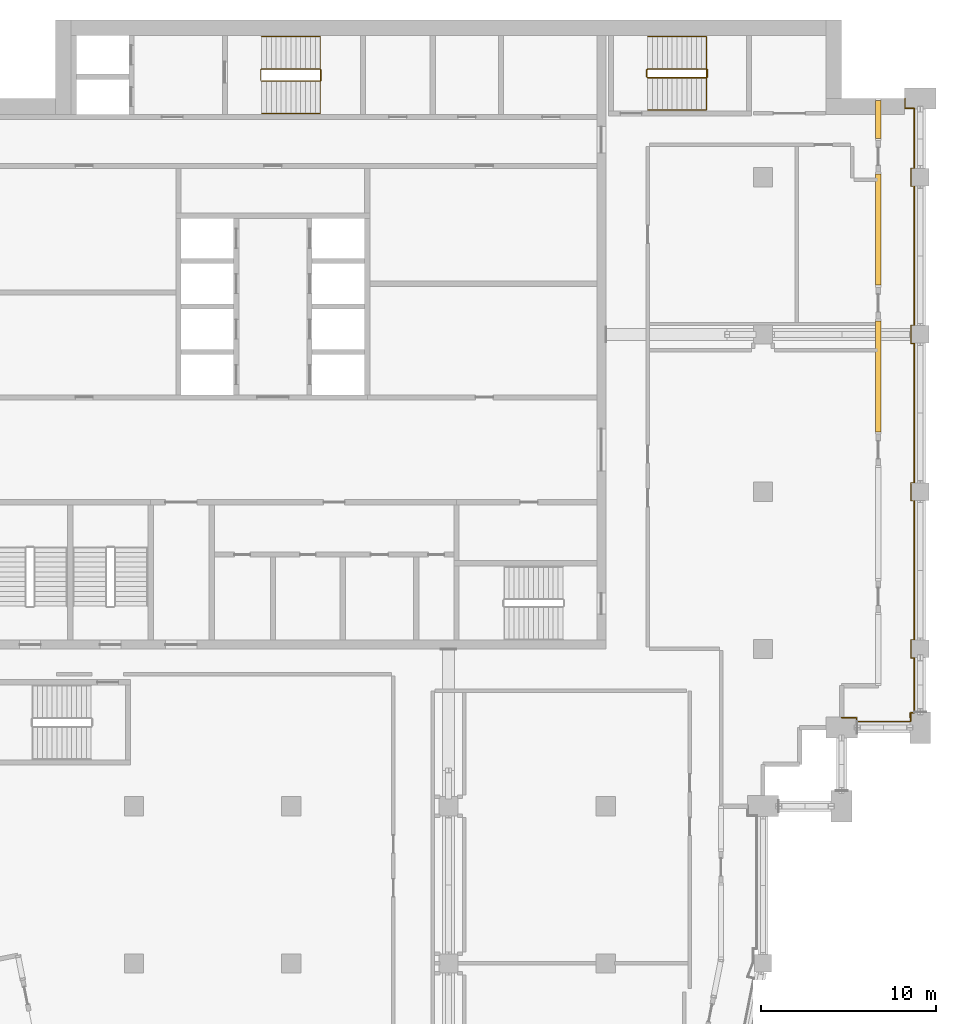
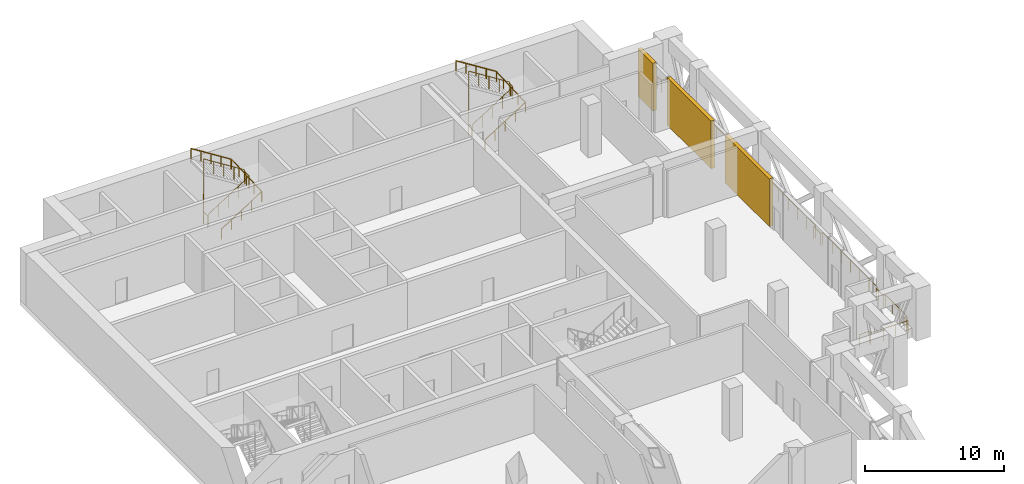
# One storey, part 16 of 16: 5 railings, 3 shading devices.
"""IFC4 building model written with IfcOpenShell, lengths in metres."""

from ifc_helpers import new_model, si_unit, direction, frame, origin, origin_2d, place, context, subcontext, project, spatial, rectangle, circle, extrude, material, layer, layer_set, type_object, element, save


model = new_model("IFC4")

# Units and contexts
model_context = context("Model", 3, precision=1e-05, world=origin(), true_north=direction((0.0, 1.0)))
body_context = subcontext(model_context, "Body", "Model", "MODEL_VIEW")
ifc_project = project(units=[si_unit("LENGTHUNIT", "METRE"), si_unit("AREAUNIT", "SQUARE_METRE"), si_unit("VOLUMEUNIT", "CUBIC_METRE"), si_unit("PLANEANGLEUNIT", "RADIAN"), si_unit("MASSUNIT", "GRAM", prefix="KILO")], contexts=[model_context])

# Site, building, storey
site_placement = place(None, origin())
site = spatial("IfcSite", under=ifc_project, at=site_placement, CompositionType="ELEMENT")
building_placement = place(site_placement, origin())
building = spatial("IfcBuilding", under=site, at=building_placement, Name="Hunhe Ridgeline Campus", CompositionType="ELEMENT")
storey_placement = place(building_placement, frame((0.0, 0.0, 227.199951171875)))
storey = spatial("IfcBuildingStorey", under=building, at=storey_placement, Name="L58", CompositionType="ELEMENT", Elevation=227.199951171875)

# Railing
ifc_material_1 = material(Name="Steel Q355", Category="steel")
railing_type_1 = type_object("IfcRailingType", Name="Loggia guard 1100 Steel Q355", PredefinedType="GUARDRAIL", material=ifc_material_1)
railing_1_placement = place(storey_placement, frame((49.5, 59.070068359375, 0.0)))
element("IfcRailing", 1, at=railing_1_placement, inside=storey, type_object=railing_type_1, Name="Loggia guard 3", PredefinedType="GUARDRAIL", context=body_context, shape_type="SweptSolid", body=[
    extrude(circle(Radius=0.02392578125, at=origin_2d()), frame((0.0, 0.0, 1.076171875), z_axis=(1.0, 0.0, 0.0), x_axis=(0.0, 1.0, 0.0)), (0.0, 0.0, 1.0), 0.85009765625),
    extrude(circle(Radius=0.02392578125, at=origin_2d()), frame((0.85009765625, 0.0, 1.076171875), z_axis=(0.0, -1.0, 0.0), x_axis=(1.0, 0.0, 0.0)), (0.0, 0.0, 1.0), 0.219970703125),
    extrude(circle(Radius=0.02392578125, at=origin_2d()), frame((0.85009765625, -0.219970703125, 1.076171875), z_axis=(1.0, 0.0, 0.0), x_axis=(0.0, 1.0, 0.0)), (0.0, 0.0, 1.0), 3.099853515625),
    extrude(circle(Radius=0.02392578125, at=origin_2d()), frame((3.949951171875, -0.219970703125, 1.076171875), z_axis=(0.0, 1.0, 0.0), x_axis=(-1.0, 0.0, 0.0)), (0.0, 0.0, 1.0), 0.52001953125),
    extrude(circle(Radius=0.02392578125, at=origin_2d()), frame((3.949951171875, 0.300048828125, 1.076171875), z_axis=(-0.066572895244, -0.99778156408, 0.0), x_axis=(0.99778156408, -0.066572895244, 0.0)), (0.0, 0.0, 1.0), 0.30078125),
    extrude(circle(Radius=0.02392578125, at=origin_2d()), frame((3.929931640625, 0.0, 1.076171875), z_axis=(0.0, 1.0, 0.0), x_axis=(-1.0, 0.0, 0.0)), (0.0, 0.0, 1.0), 0.280029296875),
    extrude(circle(Radius=0.02392578125, at=origin_2d()), frame((3.929931640625, 0.280029296875, 1.076171875), z_axis=(1.0, 0.0, 0.0), x_axis=(0.0, 1.0, 0.0)), (0.0, 0.0, 1.0), 0.219970703125),
    extrude(circle(Radius=0.02392578125, at=origin_2d()), frame((4.14990234375, 0.280029296875, 1.076171875), z_axis=(0.0, 1.0, 0.0), x_axis=(-1.0, 0.0, 0.0)), (0.0, 0.0, 1.0), 3.14990234375),
    extrude(circle(Radius=0.02392578125, at=origin_2d()), frame((4.14990234375, 3.429931640625, 1.076171875), z_axis=(-1.0, 0.0, 0.0), x_axis=(0.0, -1.0, 0.0)), (0.0, 0.0, 1.0), 0.169921875),
    extrude(circle(Radius=0.02392578125, at=origin_2d()), frame((3.97998046875, 3.429931640625, 1.076171875), z_axis=(0.0, 1.0, 0.0), x_axis=(-1.0, 0.0, 0.0)), (0.0, 0.0, 1.0), 1.0),
    extrude(circle(Radius=0.02392578125, at=origin_2d()), frame((3.97998046875, 4.429931640625, 1.076171875), z_axis=(1.0, 0.0, 0.0), x_axis=(0.0, 1.0, 0.0)), (0.0, 0.0, 1.0), 0.169921875),
    extrude(circle(Radius=0.02392578125, at=origin_2d()), frame((4.14990234375, 4.429931640625, 1.076171875), z_axis=(0.0, 1.0, 0.0), x_axis=(-1.0, 0.0, 0.0)), (0.0, 0.0, 1.0), 8.0),
    extrude(circle(Radius=0.02392578125, at=origin_2d()), frame((4.14990234375, 12.429931640625, 1.076171875), z_axis=(-1.0, 0.0, 0.0), x_axis=(0.0, -1.0, 0.0)), (0.0, 0.0, 1.0), 0.169921875),
    extrude(circle(Radius=0.02392578125, at=origin_2d()), frame((3.97998046875, 12.429931640625, 1.076171875), z_axis=(0.0, 1.0, 0.0), x_axis=(-1.0, 0.0, 0.0)), (0.0, 0.0, 1.0), 1.0),
    extrude(circle(Radius=0.02392578125, at=origin_2d()), frame((3.97998046875, 13.429931640625, 1.076171875), z_axis=(1.0, 0.0, 0.0), x_axis=(0.0, 1.0, 0.0)), (0.0, 0.0, 1.0), 0.169921875),
    extrude(circle(Radius=0.02392578125, at=origin_2d()), frame((4.14990234375, 13.429931640625, 1.076171875), z_axis=(0.0, 1.0, 0.0), x_axis=(-1.0, 0.0, 0.0)), (0.0, 0.0, 1.0), 8.0),
    extrude(circle(Radius=0.02392578125, at=origin_2d()), frame((4.14990234375, 21.429931640625, 1.076171875), z_axis=(-1.0, 0.0, 0.0), x_axis=(0.0, -1.0, 0.0)), (0.0, 0.0, 1.0), 0.169921875),
    extrude(circle(Radius=0.02392578125, at=origin_2d()), frame((3.97998046875, 21.429931640625, 1.076171875), z_axis=(0.0, 1.0, 0.0), x_axis=(-1.0, 0.0, 0.0)), (0.0, 0.0, 1.0), 1.0),
    extrude(circle(Radius=0.02392578125, at=origin_2d()), frame((3.97998046875, 22.429931640625, 1.076171875), z_axis=(1.0, 0.0, 0.0), x_axis=(0.0, 1.0, 0.0)), (0.0, 0.0, 1.0), 0.169921875),
    extrude(circle(Radius=0.02392578125, at=origin_2d()), frame((4.14990234375, 22.429931640625, 1.076171875), z_axis=(0.0, 1.0, 0.0), x_axis=(-1.0, 0.0, 0.0)), (0.0, 0.0, 1.0), 8.0),
    extrude(circle(Radius=0.02392578125, at=origin_2d()), frame((4.14990234375, 30.429931640625, 1.076171875), z_axis=(-1.0, 0.0, 0.0), x_axis=(0.0, -1.0, 0.0)), (0.0, 0.0, 1.0), 0.169921875),
    extrude(circle(Radius=0.02392578125, at=origin_2d()), frame((3.97998046875, 30.429931640625, 1.076171875), z_axis=(0.0, 1.0, 0.0), x_axis=(-1.0, 0.0, 0.0)), (0.0, 0.0, 1.0), 1.0),
    extrude(circle(Radius=0.02392578125, at=origin_2d()), frame((3.97998046875, 31.429931640625, 1.076171875), z_axis=(1.0, 0.0, 0.0), x_axis=(0.0, 1.0, 0.0)), (0.0, 0.0, 1.0), 0.169921875),
    extrude(circle(Radius=0.02392578125, at=origin_2d()), frame((4.14990234375, 31.429931640625, 1.076171875), z_axis=(0.0, 1.0, 0.0), x_axis=(-1.0, 0.0, 0.0)), (0.0, 0.0, 1.0), 3.449951171875),
    extrude(circle(Radius=0.02392578125, at=origin_2d()), frame((4.14990234375, 34.8798828125, 1.076171875), z_axis=(-1.0, 0.0, 0.0), x_axis=(0.0, -1.0, 0.0)), (0.0, 0.0, 1.0), 0.52001953125),
    extrude(circle(Radius=0.02392578125, at=origin_2d()), frame((3.6298828125, 34.8798828125, 1.076171875), z_axis=(0.0, 1.0, 0.0), x_axis=(-1.0, 0.0, 0.0)), (0.0, 0.0, 1.0), 0.550048828125),
    extrude(circle(Radius=0.02099609375, at=origin_2d()), origin(), (0.0, 0.0, 1.0), 1.052001953125),
    extrude(circle(Radius=0.02099609375, at=origin_2d()), frame((0.85009765625, 0.0, 0.0)), (0.0, 0.0, 1.0), 1.052001953125),
    extrude(circle(Radius=0.02099609375, at=origin_2d()), frame((0.85009765625, -0.219970703125, 0.0)), (0.0, 0.0, 1.0), 1.052001953125),
    extrude(circle(Radius=0.02099609375, at=origin_2d()), frame((1.88330078125, -0.219970703125, 0.0)), (0.0, 0.0, 1.0), 1.052001953125),
    extrude(circle(Radius=0.02099609375, at=origin_2d()), frame((2.916748046875, -0.219970703125, 0.0)), (0.0, 0.0, 1.0), 1.052001953125),
    extrude(circle(Radius=0.02099609375, at=origin_2d()), frame((3.949951171875, -0.219970703125, 0.0)), (0.0, 0.0, 1.0), 1.052001953125),
    extrude(circle(Radius=0.02099609375, at=origin_2d()), frame((3.949951171875, 0.300048828125, 0.0)), (0.0, 0.0, 1.0), 1.052001953125),
    extrude(circle(Radius=0.02099609375, at=origin_2d()), frame((3.929931640625, 0.0, 0.0)), (0.0, 0.0, 1.0), 1.052001953125),
    extrude(circle(Radius=0.02099609375, at=origin_2d()), frame((3.929931640625, 0.280029296875, 0.0)), (0.0, 0.0, 1.0), 1.052001953125),
    extrude(circle(Radius=0.02099609375, at=origin_2d()), frame((4.14990234375, 0.280029296875, 0.0)), (0.0, 0.0, 1.0), 1.052001953125),
    extrude(circle(Radius=0.02099609375, at=origin_2d()), frame((4.14990234375, 1.330078125, 0.0)), (0.0, 0.0, 1.0), 1.052001953125),
    extrude(circle(Radius=0.02099609375, at=origin_2d()), frame((4.14990234375, 2.3798828125, 0.0)), (0.0, 0.0, 1.0), 1.052001953125),
    extrude(circle(Radius=0.02099609375, at=origin_2d()), frame((4.14990234375, 3.429931640625, 0.0)), (0.0, 0.0, 1.0), 1.052001953125),
    extrude(circle(Radius=0.02099609375, at=origin_2d()), frame((3.97998046875, 3.429931640625, 0.0)), (0.0, 0.0, 1.0), 1.052001953125),
    extrude(circle(Radius=0.02099609375, at=origin_2d()), frame((3.97998046875, 4.429931640625, 0.0)), (0.0, 0.0, 1.0), 1.052001953125),
    extrude(circle(Radius=0.02099609375, at=origin_2d()), frame((4.14990234375, 4.429931640625, 0.0)), (0.0, 0.0, 1.0), 1.052001953125),
    extrude(circle(Radius=0.02099609375, at=origin_2d()), frame((4.14990234375, 5.76318359375, 0.0)), (0.0, 0.0, 1.0), 1.052001953125),
    extrude(circle(Radius=0.02099609375, at=origin_2d()), frame((4.14990234375, 7.0966796875, 0.0)), (0.0, 0.0, 1.0), 1.052001953125),
    extrude(circle(Radius=0.02099609375, at=origin_2d()), frame((4.14990234375, 8.429931640625, 0.0)), (0.0, 0.0, 1.0), 1.052001953125),
    extrude(circle(Radius=0.02099609375, at=origin_2d()), frame((4.14990234375, 9.76318359375, 0.0)), (0.0, 0.0, 1.0), 1.052001953125),
    extrude(circle(Radius=0.02099609375, at=origin_2d()), frame((4.14990234375, 11.0966796875, 0.0)), (0.0, 0.0, 1.0), 1.052001953125),
    extrude(circle(Radius=0.02099609375, at=origin_2d()), frame((4.14990234375, 12.429931640625, 0.0)), (0.0, 0.0, 1.0), 1.052001953125),
    extrude(circle(Radius=0.02099609375, at=origin_2d()), frame((3.97998046875, 12.429931640625, 0.0)), (0.0, 0.0, 1.0), 1.052001953125),
    extrude(circle(Radius=0.02099609375, at=origin_2d()), frame((3.97998046875, 13.429931640625, 0.0)), (0.0, 0.0, 1.0), 1.052001953125),
    extrude(circle(Radius=0.02099609375, at=origin_2d()), frame((4.14990234375, 13.429931640625, 0.0)), (0.0, 0.0, 1.0), 1.052001953125),
    extrude(circle(Radius=0.02099609375, at=origin_2d()), frame((4.14990234375, 14.76318359375, 0.0)), (0.0, 0.0, 1.0), 1.052001953125),
    extrude(circle(Radius=0.02099609375, at=origin_2d()), frame((4.14990234375, 16.0966796875, 0.0)), (0.0, 0.0, 1.0), 1.052001953125),
    extrude(circle(Radius=0.02099609375, at=origin_2d()), frame((4.14990234375, 17.429931640625, 0.0)), (0.0, 0.0, 1.0), 1.052001953125),
    extrude(circle(Radius=0.02099609375, at=origin_2d()), frame((4.14990234375, 18.76318359375, 0.0)), (0.0, 0.0, 1.0), 1.052001953125),
    extrude(circle(Radius=0.02099609375, at=origin_2d()), frame((4.14990234375, 20.0966796875, 0.0)), (0.0, 0.0, 1.0), 1.052001953125),
    extrude(circle(Radius=0.02099609375, at=origin_2d()), frame((4.14990234375, 21.429931640625, 0.0)), (0.0, 0.0, 1.0), 1.052001953125),
    extrude(circle(Radius=0.02099609375, at=origin_2d()), frame((3.97998046875, 21.429931640625, 0.0)), (0.0, 0.0, 1.0), 1.052001953125),
    extrude(circle(Radius=0.02099609375, at=origin_2d()), frame((3.97998046875, 22.429931640625, 0.0)), (0.0, 0.0, 1.0), 1.052001953125),
    extrude(circle(Radius=0.02099609375, at=origin_2d()), frame((4.14990234375, 22.429931640625, 0.0)), (0.0, 0.0, 1.0), 1.052001953125),
    extrude(circle(Radius=0.02099609375, at=origin_2d()), frame((4.14990234375, 23.76318359375, 0.0)), (0.0, 0.0, 1.0), 1.052001953125),
    extrude(circle(Radius=0.02099609375, at=origin_2d()), frame((4.14990234375, 25.0966796875, 0.0)), (0.0, 0.0, 1.0), 1.052001953125),
    extrude(circle(Radius=0.02099609375, at=origin_2d()), frame((4.14990234375, 26.429931640625, 0.0)), (0.0, 0.0, 1.0), 1.052001953125),
    extrude(circle(Radius=0.02099609375, at=origin_2d()), frame((4.14990234375, 27.76318359375, 0.0)), (0.0, 0.0, 1.0), 1.052001953125),
    extrude(circle(Radius=0.02099609375, at=origin_2d()), frame((4.14990234375, 29.0966796875, 0.0)), (0.0, 0.0, 1.0), 1.052001953125),
    extrude(circle(Radius=0.02099609375, at=origin_2d()), frame((4.14990234375, 30.429931640625, 0.0)), (0.0, 0.0, 1.0), 1.052001953125),
    extrude(circle(Radius=0.02099609375, at=origin_2d()), frame((3.97998046875, 30.429931640625, 0.0)), (0.0, 0.0, 1.0), 1.052001953125),
    extrude(circle(Radius=0.02099609375, at=origin_2d()), frame((3.97998046875, 31.429931640625, 0.0)), (0.0, 0.0, 1.0), 1.052001953125),
    extrude(circle(Radius=0.02099609375, at=origin_2d()), frame((4.14990234375, 31.429931640625, 0.0)), (0.0, 0.0, 1.0), 1.052001953125),
    extrude(circle(Radius=0.02099609375, at=origin_2d()), frame((4.14990234375, 32.579833984375, 0.0)), (0.0, 0.0, 1.0), 1.052001953125),
    extrude(circle(Radius=0.02099609375, at=origin_2d()), frame((4.14990234375, 33.72998046875, 0.0)), (0.0, 0.0, 1.0), 1.052001953125),
    extrude(circle(Radius=0.02099609375, at=origin_2d()), frame((4.14990234375, 34.8798828125, 0.0)), (0.0, 0.0, 1.0), 1.052001953125),
    extrude(circle(Radius=0.02099609375, at=origin_2d()), frame((3.6298828125, 34.8798828125, 0.0)), (0.0, 0.0, 1.0), 1.052001953125),
    extrude(circle(Radius=0.02099609375, at=origin_2d()), frame((3.6298828125, 35.429931640625, 0.0)), (0.0, 0.0, 1.0), 1.052001953125),
])

# Shading devices
ifc_material_2 = material(Name="Aluminium 6063", Category="aluminium")
ifc_layer = layer(ifc_material_2, 0.300048828125)
ifc_layer_set = layer_set([ifc_layer], Name="Louvre bank 300 Aluminium 6063")
shading_device_type = type_object("IfcShadingDeviceType", Name="Louvre bank 300 Aluminium 6063", PredefinedType="USERDEFINED", material=ifc_layer_set)
for number, where, z_axis, x_axis, name in (
    (2, (51.59912109375, 78.6005859375, 0.0), (0.0, 0.0, 1.0), (0.0, 1.0, 0.0), "Louvre bank 20"),
    (3, (51.59912109375, 87.000244140625, 0.0), (0.0, 0.0, 1.0), (0.0, 1.0, 0.0), "Louvre bank 21"),
):
    element("IfcShadingDevice", number, at=place(storey_placement, frame(where, z_axis=z_axis, x_axis=x_axis)), inside=storey, type_object=shading_device_type, Name=name, ObjectType="LOUVRE", PredefinedType="USERDEFINED", context=body_context, shape_type="SweptSolid", body=[
        extrude(rectangle(XDim=6.35986328125, YDim=0.300048828125, at=origin_2d()), origin(), (0.0, 0.0, 1.0), 4.199951171875),
    ])
shading_device_placement = place(storey_placement, frame((51.59912109375, 93.300048828125, 0.0), z_axis=(0.0, 0.0, 1.0), x_axis=(0.0, 1.0, 0.0)))
element("IfcShadingDevice", 4, at=shading_device_placement, inside=storey, type_object=shading_device_type, Name="Louvre bank 22", ObjectType="LOUVRE", PredefinedType="USERDEFINED", context=body_context, shape_type="SweptSolid", body=[
    extrude(rectangle(XDim=2.159912109375, YDim=0.300048828125, at=origin_2d()), origin(), (0.0, 0.0, 1.0), 4.199951171875),
])

# Railings
ifc_material_3 = material(Name="Stainless steel balustrade", Category="steel")
railing_type_2 = type_object("IfcRailingType", Name="Stair guard 1100 stainless", PredefinedType="GUARDRAIL", material=ifc_material_3)
railing_2_placement = place(storey_placement, frame((16.300048828125, 95.5, 0.177001953125)))
element("IfcRailing", 5, at=railing_2_placement, inside=storey, type_object=railing_type_2, Name="L58 stair S1 guard", PredefinedType="GUARDRAIL", context=body_context, shape_type="SweptSolid", body=[
    extrude(circle(Radius=0.02392578125, at=origin_2d()), frame((0.0, 0.0, 1.076171875), z_axis=(0.845372108799, 0.0, 0.534177870812), x_axis=(0.0, 1.0, 0.0)), (0.0, 0.0, 1.0), 3.974365234375),
    extrude(circle(Radius=0.02392578125, at=origin_2d()), frame((3.35986328125, 0.0, 3.19921875), z_axis=(0.707106781187, 0.707106781187, 0.0), x_axis=(-0.707106781187, 0.707106781187, 0.0)), (0.0, 0.0, 1.0), 0.07080078125),
    extrude(circle(Radius=0.02392578125, at=origin_2d()), frame((3.409912109375, 0.050048828125, 3.19921875), z_axis=(0.0, 1.0, 0.0), x_axis=(-1.0, 0.0, 0.0)), (0.0, 0.0, 1.0), 0.599853515625),
    extrude(circle(Radius=0.02392578125, at=origin_2d()), frame((3.409912109375, 0.64990234375, 3.19921875), z_axis=(-0.262545553595, 0.262545553595, 0.928514762713), x_axis=(-0.707106781187, -0.707106781187, 0.0)), (0.0, 0.0, 1.0), 0.190673828125),
    extrude(circle(Radius=0.02392578125, at=origin_2d()), frame((3.35986328125, 0.699951171875, 3.3759765625), z_axis=(-0.845372108799, 0.0, 0.534177870812), x_axis=(0.0, -1.0, 0.0)), (0.0, 0.0, 1.0), 3.974365234375),
    extrude(circle(Radius=0.02392578125, at=origin_2d()), frame((0.0, 0.699951171875, 5.4990234375), z_axis=(-0.010878661383, -0.010878661383, -0.999881647723), x_axis=(0.707106781187, -0.707106781187, 0.0)), (0.0, 0.0, 1.0), 4.6005859375),
    extrude(circle(Radius=0.02392578125, at=origin_2d()), frame((-0.050048828125, 0.64990234375, 0.89892578125), z_axis=(0.0, -1.0, 0.0), x_axis=(1.0, 0.0, 0.0)), (0.0, 0.0, 1.0), 0.599853515625),
    extrude(circle(Radius=0.02099609375, at=origin_2d()), origin(), (0.0, 0.0, 1.0), 1.052001953125),
    extrude(circle(Radius=0.02099609375, at=origin_2d()), frame((0.83984375, 0.0, 0.53076171875)), (0.0, 0.0, 1.0), 1.052001953125),
    extrude(circle(Radius=0.02099609375, at=origin_2d()), frame((1.679931640625, 0.0, 1.0615234375)), (0.0, 0.0, 1.0), 1.052001953125),
    extrude(circle(Radius=0.02099609375, at=origin_2d()), frame((2.52001953125, 0.0, 1.59228515625)), (0.0, 0.0, 1.0), 1.052001953125),
    extrude(circle(Radius=0.02099609375, at=origin_2d()), frame((3.35986328125, 0.0, 2.123046875)), (0.0, 0.0, 1.0), 1.052001953125),
    extrude(circle(Radius=0.02099609375, at=origin_2d()), frame((3.409912109375, 0.050048828125, 2.123046875)), (0.0, 0.0, 1.0), 1.052001953125),
    extrude(circle(Radius=0.02099609375, at=origin_2d()), frame((3.409912109375, 0.64990234375, 2.123046875)), (0.0, 0.0, 1.0), 1.052001953125),
    extrude(circle(Radius=0.02099609375, at=origin_2d()), frame((3.35986328125, 0.699951171875, 2.300048828125)), (0.0, 0.0, 1.0), 1.052001953125),
    extrude(circle(Radius=0.02099609375, at=origin_2d()), frame((2.52001953125, 0.699951171875, 2.830810546875)), (0.0, 0.0, 1.0), 1.052001953125),
    extrude(circle(Radius=0.02099609375, at=origin_2d()), frame((1.679931640625, 0.699951171875, 3.361572265625)), (0.0, 0.0, 1.0), 1.052001953125),
    extrude(circle(Radius=0.02099609375, at=origin_2d()), frame((0.83984375, 0.699951171875, 3.892333984375)), (0.0, 0.0, 1.0), 1.052001953125),
    extrude(circle(Radius=0.02099609375, at=origin_2d()), frame((0.0, 0.699951171875, 4.423095703125)), (0.0, 0.0, 1.0), 1.052001953125),
    extrude(circle(Radius=0.02099609375, at=origin_2d()), frame((-0.012451171875, 0.6875, 3.27294921875)), (0.0, 0.0, 1.0), 1.052001953125),
    extrude(circle(Radius=0.02099609375, at=origin_2d()), frame((-0.02490234375, 0.6748046875, 2.123046875)), (0.0, 0.0, 1.0), 1.052001953125),
    extrude(circle(Radius=0.02099609375, at=origin_2d()), frame((-0.03759765625, 0.662353515625, 0.97314453125)), (0.0, 0.0, 1.0), 1.052001953125),
    extrude(circle(Radius=0.02099609375, at=origin_2d()), frame((-0.050048828125, 0.64990234375, -0.177001953125)), (0.0, 0.0, 1.0), 1.052001953125),
    extrude(circle(Radius=0.02099609375, at=origin_2d()), frame((-0.050048828125, 0.050048828125, -0.177001953125)), (0.0, 0.0, 1.0), 1.052001953125),
])
railing_3_placement = place(storey_placement, frame((38.39990234375, 95.699951171875, 0.177001953125)))
element("IfcRailing", 6, at=railing_3_placement, inside=storey, type_object=railing_type_2, Name="L58 stair E1 guard", PredefinedType="GUARDRAIL", context=body_context, shape_type="SweptSolid", body=[
    extrude(circle(Radius=0.02392578125, at=origin_2d()), frame((0.0, 0.0, 1.076171875), z_axis=(0.845389635667, 0.0, 0.534150132366), x_axis=(0.0, 1.0, 0.0)), (0.0, 0.0, 1.0), 3.974609375),
    extrude(circle(Radius=0.02392578125, at=origin_2d()), frame((3.360107421875, 0.0, 3.19921875), z_axis=(0.707106781187, 0.707106781187, 0.0), x_axis=(-0.707106781187, 0.707106781187, 0.0)), (0.0, 0.0, 1.0), 0.07080078125),
    extrude(circle(Radius=0.02392578125, at=origin_2d()), frame((3.41015625, 0.050048828125, 3.19921875), z_axis=(0.0, 1.0, 0.0), x_axis=(-1.0, 0.0, 0.0)), (0.0, 0.0, 1.0), 0.39990234375),
    extrude(circle(Radius=0.02392578125, at=origin_2d()), frame((3.41015625, 0.449951171875, 3.19921875), z_axis=(-0.262545553595, 0.262545553595, 0.928514762713), x_axis=(-0.707106781187, -0.707106781187, 0.0)), (0.0, 0.0, 1.0), 0.190673828125),
    extrude(circle(Radius=0.02392578125, at=origin_2d()), frame((3.360107421875, 0.5, 3.3759765625), z_axis=(-0.845389635667, 0.0, 0.534150132366), x_axis=(0.0, -1.0, 0.0)), (0.0, 0.0, 1.0), 3.974609375),
    extrude(circle(Radius=0.02392578125, at=origin_2d()), frame((0.0, 0.5, 5.4990234375), z_axis=(-0.010825600977, -0.010878667648, -0.999882223541), x_axis=(0.708833529934, -0.705375805398, 0.0)), (0.0, 0.0, 1.0), 4.6005859375),
    extrude(circle(Radius=0.02392578125, at=origin_2d()), frame((-0.0498046875, 0.449951171875, 0.89892578125), z_axis=(0.0, -1.0, 0.0), x_axis=(1.0, 0.0, 0.0)), (0.0, 0.0, 1.0), 0.39990234375),
    extrude(circle(Radius=0.02099609375, at=origin_2d()), origin(), (0.0, 0.0, 1.0), 1.052001953125),
    extrude(circle(Radius=0.02099609375, at=origin_2d()), frame((0.840087890625, 0.0, 0.53076171875)), (0.0, 0.0, 1.0), 1.052001953125),
    extrude(circle(Radius=0.02099609375, at=origin_2d()), frame((1.68017578125, 0.0, 1.0615234375)), (0.0, 0.0, 1.0), 1.052001953125),
    extrude(circle(Radius=0.02099609375, at=origin_2d()), frame((2.52001953125, 0.0, 1.59228515625)), (0.0, 0.0, 1.0), 1.052001953125),
    extrude(circle(Radius=0.02099609375, at=origin_2d()), frame((3.360107421875, 0.0, 2.123046875)), (0.0, 0.0, 1.0), 1.052001953125),
    extrude(circle(Radius=0.02099609375, at=origin_2d()), frame((3.41015625, 0.050048828125, 2.123046875)), (0.0, 0.0, 1.0), 1.052001953125),
    extrude(circle(Radius=0.02099609375, at=origin_2d()), frame((3.41015625, 0.449951171875, 2.123046875)), (0.0, 0.0, 1.0), 1.052001953125),
    extrude(circle(Radius=0.02099609375, at=origin_2d()), frame((3.360107421875, 0.5, 2.300048828125)), (0.0, 0.0, 1.0), 1.052001953125),
    extrude(circle(Radius=0.02099609375, at=origin_2d()), frame((2.52001953125, 0.5, 2.830810546875)), (0.0, 0.0, 1.0), 1.052001953125),
    extrude(circle(Radius=0.02099609375, at=origin_2d()), frame((1.68017578125, 0.5, 3.361572265625)), (0.0, 0.0, 1.0), 1.052001953125),
    extrude(circle(Radius=0.02099609375, at=origin_2d()), frame((0.840087890625, 0.5, 3.892333984375)), (0.0, 0.0, 1.0), 1.052001953125),
    extrude(circle(Radius=0.02099609375, at=origin_2d()), frame((0.0, 0.5, 4.423095703125)), (0.0, 0.0, 1.0), 1.052001953125),
    extrude(circle(Radius=0.02099609375, at=origin_2d()), frame((-0.012451171875, 0.487548828125, 3.27294921875)), (0.0, 0.0, 1.0), 1.052001953125),
    extrude(circle(Radius=0.02099609375, at=origin_2d()), frame((-0.02490234375, 0.47509765625, 2.123046875)), (0.0, 0.0, 1.0), 1.052001953125),
    extrude(circle(Radius=0.02099609375, at=origin_2d()), frame((-0.037353515625, 0.46240234375, 0.97314453125)), (0.0, 0.0, 1.0), 1.052001953125),
    extrude(circle(Radius=0.02099609375, at=origin_2d()), frame((-0.0498046875, 0.449951171875, -0.177001953125)), (0.0, 0.0, 1.0), 1.052001953125),
    extrude(circle(Radius=0.02099609375, at=origin_2d()), frame((-0.0498046875, 0.050048828125, -0.177001953125)), (0.0, 0.0, 1.0), 1.052001953125),
])
ifc_material_4 = material(Name="Stainless steel handrail", Category="steel")
railing_type_3 = type_object("IfcRailingType", Name="Stair handrail 900 stainless", PredefinedType="HANDRAIL", material=ifc_material_4)
railing_4_placement = place(storey_placement, frame((16.300048828125, 93.64990234375, 0.177001953125)))
element("IfcRailing", 7, at=railing_4_placement, inside=storey, type_object=railing_type_3, Name="L58 stair S1 handrail", PredefinedType="HANDRAIL", context=body_context, shape_type="SweptSolid", body=[
    extrude(circle(Radius=0.02392578125, at=origin_2d()), frame((0.0, 0.0, 0.8759765625), z_axis=(0.845372108799, 0.0, 0.534177870812), x_axis=(0.0, 1.0, 0.0)), (0.0, 0.0, 1.0), 3.974365234375),
    extrude(circle(Radius=0.02392578125, at=origin_2d()), frame((3.35986328125, 0.0, 2.9990234375), z_axis=(0.0, 0.999191899876, 0.040193870466), x_axis=(-1.0, 0.0, 0.0)), (0.0, 0.0, 1.0), 4.40380859375),
    extrude(circle(Radius=0.02392578125, at=origin_2d()), frame((3.35986328125, 4.400146484375, 3.17578125), z_axis=(-0.845372108799, 0.0, 0.534177870812), x_axis=(0.0, -1.0, 0.0)), (0.0, 0.0, 1.0), 3.974365234375),
    extrude(circle(Radius=0.02099609375, at=origin_2d()), origin(), (0.0, 0.0, 1.0), 0.851806640625),
    extrude(circle(Radius=0.02099609375, at=origin_2d()), frame((0.83984375, 0.0, 0.53076171875)), (0.0, 0.0, 1.0), 0.851806640625),
    extrude(circle(Radius=0.02099609375, at=origin_2d()), frame((1.679931640625, 0.0, 1.0615234375)), (0.0, 0.0, 1.0), 0.851806640625),
    extrude(circle(Radius=0.02099609375, at=origin_2d()), frame((2.52001953125, 0.0, 1.59228515625)), (0.0, 0.0, 1.0), 0.851806640625),
    extrude(circle(Radius=0.02099609375, at=origin_2d()), frame((3.35986328125, 0.0, 2.123046875)), (0.0, 0.0, 1.0), 0.851806640625),
    extrude(circle(Radius=0.02099609375, at=origin_2d()), frame((3.35986328125, 1.10009765625, 2.167236328125)), (0.0, 0.0, 1.0), 0.851806640625),
    extrude(circle(Radius=0.02099609375, at=origin_2d()), frame((3.35986328125, 2.2001953125, 2.21142578125)), (0.0, 0.0, 1.0), 0.851806640625),
    extrude(circle(Radius=0.02099609375, at=origin_2d()), frame((3.35986328125, 3.300048828125, 2.255859375)), (0.0, 0.0, 1.0), 0.851806640625),
    extrude(circle(Radius=0.02099609375, at=origin_2d()), frame((3.35986328125, 4.400146484375, 2.300048828125)), (0.0, 0.0, 1.0), 0.851806640625),
    extrude(circle(Radius=0.02099609375, at=origin_2d()), frame((2.52001953125, 4.400146484375, 2.830810546875)), (0.0, 0.0, 1.0), 0.851806640625),
    extrude(circle(Radius=0.02099609375, at=origin_2d()), frame((1.679931640625, 4.400146484375, 3.361572265625)), (0.0, 0.0, 1.0), 0.851806640625),
    extrude(circle(Radius=0.02099609375, at=origin_2d()), frame((0.83984375, 4.400146484375, 3.892333984375)), (0.0, 0.0, 1.0), 0.851806640625),
    extrude(circle(Radius=0.02099609375, at=origin_2d()), frame((0.0, 4.400146484375, 4.423095703125)), (0.0, 0.0, 1.0), 0.851806640625),
])
railing_5_placement = place(storey_placement, frame((38.39990234375, 93.85009765625, 0.177001953125)))
element("IfcRailing", 8, at=railing_5_placement, inside=storey, type_object=railing_type_3, Name="L58 stair E1 handrail", PredefinedType="HANDRAIL", context=body_context, shape_type="SweptSolid", body=[
    extrude(circle(Radius=0.02392578125, at=origin_2d()), frame((0.0, 0.0, 0.8759765625), z_axis=(0.845389635667, 0.0, 0.534150132366), x_axis=(0.0, 1.0, 0.0)), (0.0, 0.0, 1.0), 3.974609375),
    extrude(circle(Radius=0.02392578125, at=origin_2d()), frame((3.360107421875, 0.0, 2.9990234375), z_axis=(0.0, 0.999113130752, 0.042106436075), x_axis=(-1.0, 0.0, 0.0)), (0.0, 0.0, 1.0), 4.20361328125),
    extrude(circle(Radius=0.02392578125, at=origin_2d()), frame((3.360107421875, 4.199951171875, 3.17578125), z_axis=(-0.845389635667, 0.0, 0.534150132366), x_axis=(0.0, -1.0, 0.0)), (0.0, 0.0, 1.0), 3.974609375),
    extrude(circle(Radius=0.02099609375, at=origin_2d()), origin(), (0.0, 0.0, 1.0), 0.851806640625),
    extrude(circle(Radius=0.02099609375, at=origin_2d()), frame((0.840087890625, 0.0, 0.53076171875)), (0.0, 0.0, 1.0), 0.851806640625),
    extrude(circle(Radius=0.02099609375, at=origin_2d()), frame((1.68017578125, 0.0, 1.0615234375)), (0.0, 0.0, 1.0), 0.851806640625),
    extrude(circle(Radius=0.02099609375, at=origin_2d()), frame((2.52001953125, 0.0, 1.59228515625)), (0.0, 0.0, 1.0), 0.851806640625),
    extrude(circle(Radius=0.02099609375, at=origin_2d()), frame((3.360107421875, 0.0, 2.123046875)), (0.0, 0.0, 1.0), 0.851806640625),
    extrude(circle(Radius=0.02099609375, at=origin_2d()), frame((3.360107421875, 1.050048828125, 2.167236328125)), (0.0, 0.0, 1.0), 0.851806640625),
    extrude(circle(Radius=0.02099609375, at=origin_2d()), frame((3.360107421875, 2.10009765625, 2.21142578125)), (0.0, 0.0, 1.0), 0.851806640625),
    extrude(circle(Radius=0.02099609375, at=origin_2d()), frame((3.360107421875, 3.14990234375, 2.255859375)), (0.0, 0.0, 1.0), 0.851806640625),
    extrude(circle(Radius=0.02099609375, at=origin_2d()), frame((3.360107421875, 4.199951171875, 2.300048828125)), (0.0, 0.0, 1.0), 0.851806640625),
    extrude(circle(Radius=0.02099609375, at=origin_2d()), frame((2.52001953125, 4.199951171875, 2.830810546875)), (0.0, 0.0, 1.0), 0.851806640625),
    extrude(circle(Radius=0.02099609375, at=origin_2d()), frame((1.68017578125, 4.199951171875, 3.361572265625)), (0.0, 0.0, 1.0), 0.851806640625),
    extrude(circle(Radius=0.02099609375, at=origin_2d()), frame((0.840087890625, 4.199951171875, 3.892333984375)), (0.0, 0.0, 1.0), 0.851806640625),
    extrude(circle(Radius=0.02099609375, at=origin_2d()), frame((0.0, 4.199951171875, 4.423095703125)), (0.0, 0.0, 1.0), 0.851806640625),
])

save(model, "model.ifc")
